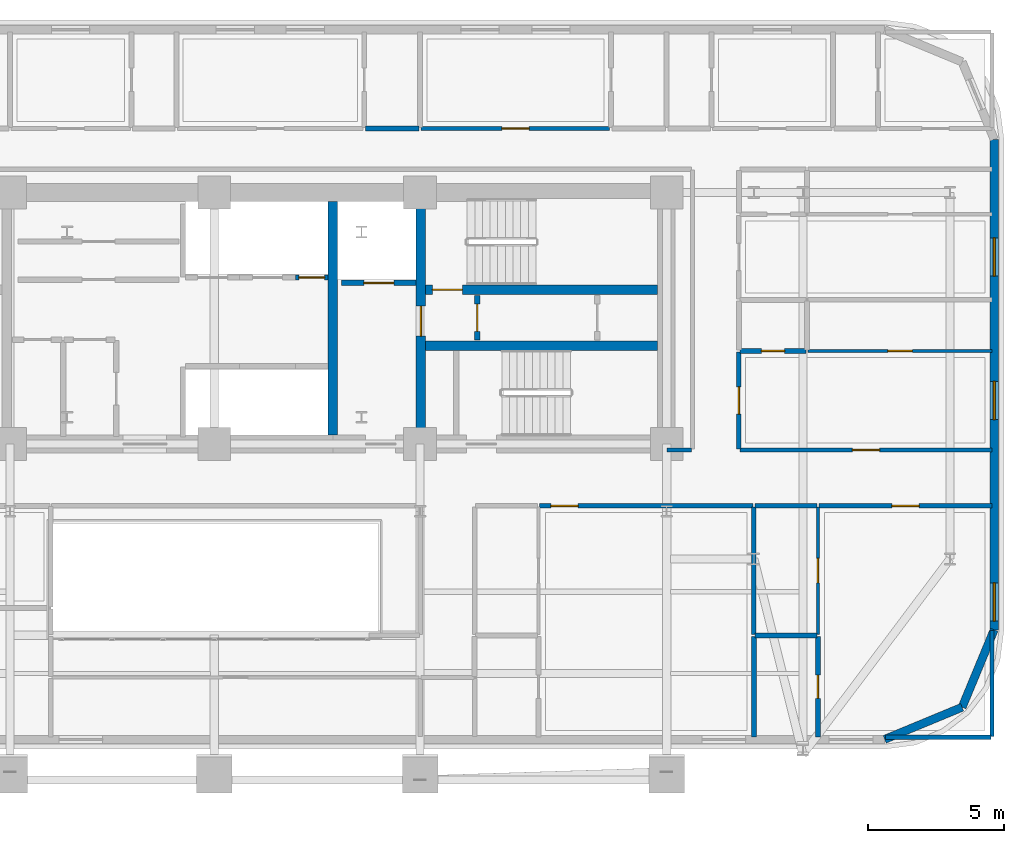
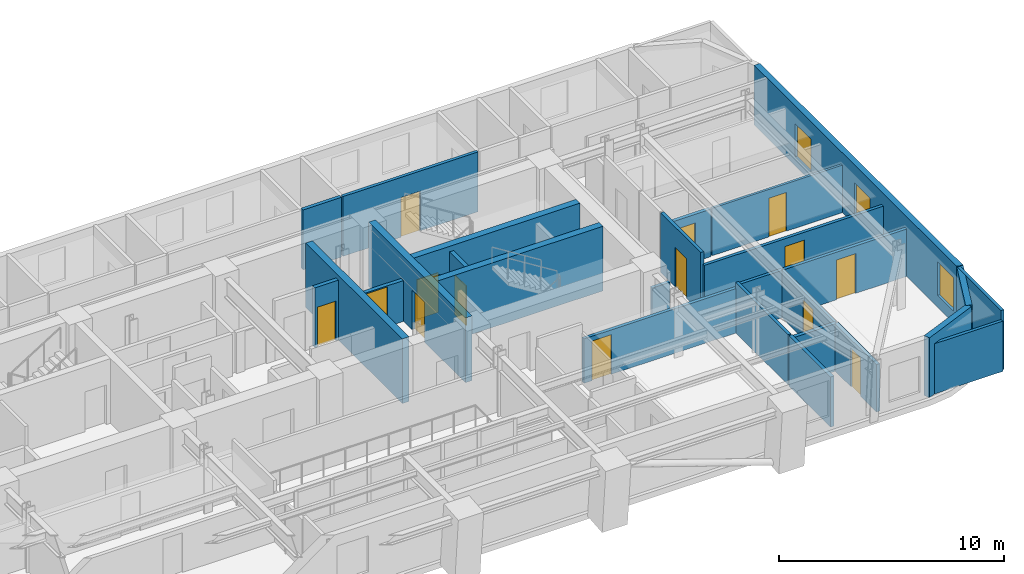
# One storey, part 10 of 15: 27 walls, 14 doors, 3 windows, 17 openings.
"""IFC4 building model written with IfcOpenShell, lengths in metres."""

from ifc_helpers import new_model, si_unit, direction, frame, frame_2d, origin, place, context, subcontext, project, spatial, rectangle, extrude, material, layer, layer_set, type_object, element, fill, save


model = new_model("IFC4")

# Units and contexts
model_context = context("Model", 3, precision=1e-05, world=origin(), true_north=direction((0.0, 1.0)))
body_context = subcontext(model_context, "Body", "Model", "MODEL_VIEW")
ifc_project = project(units=[si_unit("LENGTHUNIT", "METRE"), si_unit("AREAUNIT", "SQUARE_METRE"), si_unit("VOLUMEUNIT", "CUBIC_METRE"), si_unit("PLANEANGLEUNIT", "RADIAN"), si_unit("MASSUNIT", "GRAM", prefix="KILO")], contexts=[model_context])

# Site, building, storey
site_placement = place(None, origin())
site = spatial("IfcSite", under=ifc_project, at=site_placement, CompositionType="ELEMENT")
building_placement = place(site_placement, origin())
building = spatial("IfcBuilding", under=site, at=building_placement, Name="Zarnavel Station Tower", CompositionType="ELEMENT")
storey_placement = place(building_placement, frame((0.0, 0.0, 115.300048828125)))
storey = spatial("IfcBuildingStorey", under=building, at=storey_placement, Name="L31", CompositionType="ELEMENT", Elevation=115.300048828125)

# Wall
ifc_material_1 = material(Name="Concrete C50/60", Category="concrete")
ifc_layer_1 = layer(ifc_material_1, 0.35009765625)
ifc_layer_set_1 = layer_set([ifc_layer_1], Name="CW_350")
wall_type_1 = type_object("IfcWallType", Name="CW_350", PredefinedType="SHEAR", material=ifc_layer_set_1)
wall_1_placement = place(storey_placement, frame((33.14990234375, 28.14501953125, 0.0), z_axis=(0.0, 0.0, 1.0), x_axis=(0.0, 1.0, 0.0)))
element("IfcWall", 1, at=wall_1_placement, inside=storey, type_object=wall_type_1, Name="L31 Rear Core Shear Wall DIV-E", PredefinedType="SHEAR", context=body_context, shape_type="SweptSolid", body=[
    extrude(rectangle(XDim=8.580078125, YDim=0.35009765625, at=frame_2d((4.2900390625, 0.0))), origin(), (0.0, 0.0, 1.0), 3.5),
])

# Wall, opening, door
wall_2_placement = place(storey_placement, frame((36.3798828125, 28.14501953125, 0.0), z_axis=(0.0, 0.0, 1.0), x_axis=(0.0, 1.0, 0.0)))
wall_2 = element("IfcWall", 2, at=wall_2_placement, inside=storey, type_object=wall_type_1, Name="L31 Rear Core Shear Wall DIV-S2", PredefinedType="SHEAR", context=body_context, shape_type="SweptSolid", body=[
    extrude(rectangle(XDim=8.580078125, YDim=0.35009765625, at=frame_2d((4.2900390625, 0.0))), origin(), (0.0, 0.0, 1.0), 3.5),
])
opening_1_placement = place(wall_2_placement, frame((3.635009765625, 0.0, 0.0)))
opening_1 = element("IfcOpeningElement", 3, at=opening_1_placement, cuts=wall_2, Name="Opening FD01", PredefinedType="OPENING", context=body_context, shape_type="SweptSolid", body=[
    extrude(rectangle(XDim=1.10009765625, YDim=2.14990234375, at=frame_2d((0.550048828125, 1.074951171875))), frame((0.0, 0.18505859375, 0.0), z_axis=(0.0, -1.0, 0.0), x_axis=(1.0, 0.0, 0.0)), (0.0, 0.0, 1.0), 0.3701171875),
])
ifc_material_2 = material(Name="Painted Galvanised Steel and Hardwood Leaf", Category="steel")
door_type_1 = type_object("IfcDoorType", Name="ID_STAIR_1100", OperationType="NOTDEFINED", PredefinedType="DOOR", material=ifc_material_2)
door_1_placement = place(opening_1_placement, origin())
door_1 = element("IfcDoor", 4, at=door_1_placement, inside=storey, type_object=door_type_1, Name="L31 East Stair Vestibule Fire Door", OperationType="SINGLE_SWING_LEFT", OverallHeight=2.14990234375, OverallWidth=1.10009765625, PredefinedType="DOOR", context=body_context, shape_type="SweptSolid", body=[
    extrude(rectangle(XDim=1.10009765625, YDim=2.14990234375, at=frame_2d((0.550048828125, 1.074951171875))), frame((0.0, 0.02490234375, 0.0), z_axis=(0.0, -1.0, 0.0), x_axis=(1.0, 0.0, 0.0)), (0.0, 0.0, 1.0), 0.050048828125),
])
fill(opening_1, door_1)

wall_3_placement = place(storey_placement, frame((45.054931640625, 33.47998046875, 0.0), z_axis=(0.0, 0.0, 1.0), x_axis=(-1.0, 0.0, 0.0)))
wall_3 = element("IfcWall", 5, at=wall_3_placement, inside=storey, type_object=wall_type_1, Name="L31 Rear Core Shear Wall DIV-H2", PredefinedType="SHEAR", context=body_context, shape_type="SweptSolid", body=[
    extrude(rectangle(XDim=8.5, YDim=0.35009765625, at=frame_2d((4.25, 0.0))), origin(), (0.0, 0.0, 1.0), 3.5),
])
opening_2_placement = place(wall_3_placement, frame((7.155029296875, 0.0, 0.0)))
opening_2 = element("IfcOpeningElement", 6, at=opening_2_placement, cuts=wall_3, Name="Opening FD01", PredefinedType="OPENING", context=body_context, shape_type="SweptSolid", body=[
    extrude(rectangle(XDim=1.10009765625, YDim=2.14990234375, at=frame_2d((0.550048828125, 1.074951171875))), frame((0.0, 0.18505859375, 0.0), z_axis=(0.0, -1.0, 0.0), x_axis=(1.0, 0.0, 0.0)), (0.0, 0.0, 1.0), 0.3701171875),
])
door_2_placement = place(opening_2_placement, origin())
door_2 = element("IfcDoor", 7, at=door_2_placement, inside=storey, type_object=door_type_1, Name="L31 Stair ST2 Lobby Fire Door", OperationType="SINGLE_SWING_RIGHT", OverallHeight=2.14990234375, OverallWidth=1.10009765625, PredefinedType="DOOR", context=body_context, shape_type="SweptSolid", body=[
    extrude(rectangle(XDim=1.10009765625, YDim=2.14990234375, at=frame_2d((0.550048828125, 1.074951171875))), frame((0.0, 0.02490234375, 0.0), z_axis=(0.0, -1.0, 0.0), x_axis=(1.0, 0.0, 0.0)), (0.0, 0.0, 1.0), 0.050048828125),
])
fill(opening_2, door_2)

# Walls
wall_4_placement = place(storey_placement, frame((36.554931640625, 31.419921875, 0.0), z_axis=(0.0, 0.0, 1.0), x_axis=(1.0, 0.0, 0.0)))
element("IfcWall", 8, at=wall_4_placement, inside=storey, type_object=wall_type_1, Name="L31 Rear Core Shear Wall DIV-H3", PredefinedType="SHEAR", context=body_context, shape_type="SweptSolid", body=[
    extrude(rectangle(XDim=8.5, YDim=0.35009765625, at=frame_2d((4.25, 0.0))), origin(), (0.0, 0.0, 1.0), 3.5),
])
ifc_material_3 = material(Name="Precast concrete C45/55 (Dark Basalt Finish)", Category="masonry")
ifc_layer_2 = layer(ifc_material_3, 0.300048828125)
ifc_layer_set_2 = layer_set([ifc_layer_2], Name="EW_BASALT_300")
wall_type_2 = type_object("IfcWallType", Name="EW_BASALT_300", PredefinedType="SOLIDWALL", material=ifc_layer_set_2)
wall_5_placement = place(storey_placement, frame((56.24267578125, 18.157470703125, 0.0), z_axis=(0.0, 0.0, 1.0), x_axis=(-0.923882414032, -0.382676475685, 0.0)))
element("IfcWall", 9, at=wall_5_placement, inside=storey, type_object=wall_type_2, Name="L31 Exterior Basalt Masonry Frame Wall 01", PredefinedType="SOLIDWALL", context=body_context, shape_type="SweptSolid", body=[
    extrude(rectangle(XDim=3.076904296875, YDim=0.300048828125, at=frame_2d((1.53857421875, 0.0))), origin(), (0.0, 0.0, 1.0), 3.239990234375),
])
wall_6_placement = place(storey_placement, frame((57.419921875, 21.0, 0.0), z_axis=(0.0, 0.0, 1.0), x_axis=(-0.382636798336, -0.92389884758, 0.0)))
element("IfcWall", 10, at=wall_6_placement, inside=storey, type_object=wall_type_2, Name="L31 Exterior Basalt Masonry Frame Wall 02", PredefinedType="SOLIDWALL", context=body_context, shape_type="SweptSolid", body=[
    extrude(rectangle(XDim=3.07666015625, YDim=0.300048828125, at=frame_2d((1.538330078125, 0.0))), origin(), (0.0, 0.0, 1.0), 3.239990234375),
])

# Wall, openings, windows
wall_7_placement = place(storey_placement, frame((57.419921875, 39.0, 0.0), z_axis=(0.0, 0.0, 1.0), x_axis=(0.0, -1.0, 0.0)))
wall_7 = element("IfcWall", 11, at=wall_7_placement, inside=storey, type_object=wall_type_2, Name="L31 Exterior Basalt Masonry Frame Wall 03", PredefinedType="SOLIDWALL", context=body_context, shape_type="SweptSolid", body=[
    extrude(rectangle(XDim=18.0, YDim=0.300048828125, at=frame_2d((9.0, 0.0))), origin(), (0.0, 0.0, 1.0), 3.239990234375),
])
opening_3_placement = place(wall_7_placement, frame((8.882080078125, 0.0, 0.47998046875)))
opening_3 = element("IfcOpeningElement", 12, at=opening_3_placement, cuts=wall_7, Name="Opening WN01", PredefinedType="OPENING", context=body_context, shape_type="SweptSolid", body=[
    extrude(rectangle(XDim=1.39990234375, YDim=1.800048828125, at=frame_2d((0.699951171875, 0.89990234375))), frame((0.0, 0.159912109375, 0.0), z_axis=(0.0, -1.0, 0.0), x_axis=(1.0, 0.0, 0.0)), (0.0, 0.0, 1.0), 0.320068359375),
])
opening_4_placement = place(wall_7_placement, frame((3.62060546875, 0.0, 0.47998046875)))
opening_4 = element("IfcOpeningElement", 13, at=opening_4_placement, cuts=wall_7, Name="Opening WN01", PredefinedType="OPENING", context=body_context, shape_type="SweptSolid", body=[
    extrude(rectangle(XDim=1.39990234375, YDim=1.800048828125, at=frame_2d((0.699951171875, 0.89990234375))), frame((0.0, 0.159912109375, 0.0), z_axis=(0.0, -1.0, 0.0), x_axis=(1.0, 0.0, 0.0)), (0.0, 0.0, 1.0), 0.320068359375),
])
opening_5_placement = place(wall_7_placement, frame((16.280029296875, 0.0, 0.64990234375)))
opening_5 = element("IfcOpeningElement", 14, at=opening_5_placement, cuts=wall_7, Name="Opening WN01", PredefinedType="OPENING", context=body_context, shape_type="SweptSolid", body=[
    extrude(rectangle(XDim=1.39990234375, YDim=1.800048828125, at=frame_2d((0.699951171875, 0.89990234375))), frame((0.0, 0.159912109375, 0.0), z_axis=(0.0, -1.0, 0.0), x_axis=(1.0, 0.0, 0.0)), (0.0, 0.0, 1.0), 0.320068359375),
])
ifc_material_4 = material(Name="Thermally Broken Black Aluminium and Low-E Dark Glass", Category="aluminium")
window_type = type_object("IfcWindowType", Name="WN_1400x1800", PartitioningType="DOUBLE_PANEL_VERTICAL", PredefinedType="WINDOW", material=ifc_material_4)
window_1_placement = place(opening_3_placement, origin())
window_1 = element("IfcWindow", 15, at=window_1_placement, inside=storey, type_object=window_type, Name="L31 Recessed Facade Window 01", OverallHeight=1.800048828125, OverallWidth=1.39990234375, PartitioningType="SINGLE_PANEL", PredefinedType="WINDOW", context=body_context, shape_type="SweptSolid", body=[
    extrude(rectangle(XDim=1.39990234375, YDim=1.800048828125, at=frame_2d((0.699951171875, 0.89990234375))), frame((0.0, 0.030029296875, 0.0), z_axis=(0.0, -1.0, 0.0), x_axis=(1.0, 0.0, 0.0)), (0.0, 0.0, 1.0), 0.06005859375),
])
fill(opening_3, window_1)
window_2_placement = place(opening_4_placement, origin())
window_2 = element("IfcWindow", 16, at=window_2_placement, inside=storey, type_object=window_type, Name="L31 Recessed Facade Window 02", OverallHeight=1.800048828125, OverallWidth=1.39990234375, PartitioningType="SINGLE_PANEL", PredefinedType="WINDOW", context=body_context, shape_type="SweptSolid", body=[
    extrude(rectangle(XDim=1.39990234375, YDim=1.800048828125, at=frame_2d((0.699951171875, 0.89990234375))), frame((0.0, 0.030029296875, 0.0), z_axis=(0.0, -1.0, 0.0), x_axis=(1.0, 0.0, 0.0)), (0.0, 0.0, 1.0), 0.06005859375),
])
fill(opening_4, window_2)
window_3_placement = place(opening_5_placement, origin())
window_3 = element("IfcWindow", 17, at=window_3_placement, inside=storey, type_object=window_type, Name="L31 Recessed Facade Window 03", OverallHeight=1.800048828125, OverallWidth=1.39990234375, PartitioningType="SINGLE_PANEL", PredefinedType="WINDOW", context=body_context, shape_type="SweptSolid", body=[
    extrude(rectangle(XDim=1.39990234375, YDim=1.800048828125, at=frame_2d((0.699951171875, 0.89990234375))), frame((0.0, 0.030029296875, 0.0), z_axis=(0.0, -1.0, 0.0), x_axis=(1.0, 0.0, 0.0)), (0.0, 0.0, 1.0), 0.06005859375),
])
fill(opening_5, window_3)

# Wall, opening, door
ifc_material_5 = material(Name="Gypsum Twin-Stud Acoustic Fire Partition", Category="concrete")
ifc_layer_3 = layer(ifc_material_5, 0.159912109375)
ifc_layer_set_3 = layer_set([ifc_layer_3], Name="PT_DEMISE_160")
wall_type_3 = type_object("IfcWallType", Name="PT_DEMISE_160", PredefinedType="PARTITIONING", material=ifc_layer_set_3)
wall_8_placement = place(storey_placement, frame((48.090087890625, 27.60009765625, 0.0), z_axis=(0.0, 0.0, 1.0), x_axis=(1.0, 0.0, 0.0)))
wall_8 = element("IfcWall", 18, at=wall_8_placement, inside=storey, type_object=wall_type_3, Name="L31 Partition COR-S-FNE1R", PredefinedType="PARTITIONING", context=body_context, shape_type="SweptSolid", body=[
    extrude(rectangle(XDim=9.25, YDim=0.159912109375, at=frame_2d((4.625, 0.0))), origin(), (0.0, 0.0, 1.0), 2.570068359375),
])
opening_6_placement = place(wall_8_placement, frame((4.125, 0.0, 0.0)))
opening_6 = element("IfcOpeningElement", 19, at=opening_6_placement, cuts=wall_8, Name="Opening FD02", PredefinedType="OPENING", context=body_context, shape_type="SweptSolid", body=[
    extrude(rectangle(XDim=1.0, YDim=2.14990234375, at=frame_2d((0.5, 1.074951171875))), frame((0.0, 0.08984375, 0.0), z_axis=(0.0, -1.0, 0.0), x_axis=(1.0, 0.0, 0.0)), (0.0, 0.0, 1.0), 0.179931640625),
])
ifc_material_6 = material(Name="Painted Galvanised Steel and Hardwood Leaf", Category="steel")
door_type_2 = type_object("IfcDoorType", Name="ID_ENTRY_1000", OperationType="NOTDEFINED", PredefinedType="DOOR", material=ifc_material_6)
door_3_placement = place(opening_6_placement, origin())
door_3 = element("IfcDoor", 20, at=door_3_placement, inside=storey, type_object=door_type_2, Name="L31 Door COR-S-FNE1R", OperationType="SINGLE_SWING_LEFT", OverallHeight=2.14990234375, OverallWidth=1.0, PredefinedType="DOOR", context=body_context, shape_type="SweptSolid", body=[
    extrude(rectangle(XDim=1.0, YDim=2.14990234375, at=frame_2d((0.5, 1.074951171875))), frame((0.0, 0.02490234375, 0.0), z_axis=(0.0, -1.0, 0.0), x_axis=(1.0, 0.0, 0.0)), (0.0, 0.0, 1.0), 0.050048828125),
])
fill(opening_6, door_3)

wall_9_placement = place(storey_placement, frame((40.739990234375, 25.550048828125, 0.0), z_axis=(0.0, 0.0, 1.0), x_axis=(1.0, 0.0, 0.0)))
wall_9 = element("IfcWall", 21, at=wall_9_placement, inside=storey, type_object=wall_type_3, Name="L31 Partition COR-S-HE1R", PredefinedType="PARTITIONING", context=body_context, shape_type="SweptSolid", body=[
    extrude(rectangle(XDim=7.820068359375, YDim=0.159912109375, at=frame_2d((3.91015625, 0.0))), origin(), (0.0, 0.0, 1.0), 2.406005859375),
])
opening_7_placement = place(wall_9_placement, frame((0.41259765625, 0.0, 0.0)))
opening_7 = element("IfcOpeningElement", 22, at=opening_7_placement, cuts=wall_9, Name="Opening FD02", PredefinedType="OPENING", context=body_context, shape_type="SweptSolid", body=[
    extrude(rectangle(XDim=1.0, YDim=2.14990234375, at=frame_2d((0.5, 1.074951171875))), frame((0.0, 0.08984375, 0.0), z_axis=(0.0, -1.0, 0.0), x_axis=(1.0, 0.0, 0.0)), (0.0, 0.0, 1.0), 0.179931640625),
])
door_4_placement = place(opening_7_placement, origin())
door_4 = element("IfcDoor", 23, at=door_4_placement, inside=storey, type_object=door_type_2, Name="L31 Door COR-S-HE1R", OperationType="SINGLE_SWING_RIGHT", OverallHeight=2.14990234375, OverallWidth=1.0, PredefinedType="DOOR", context=body_context, shape_type="SweptSolid", body=[
    extrude(rectangle(XDim=1.0, YDim=2.14990234375, at=frame_2d((0.5, 1.074951171875))), frame((0.0, 0.02490234375, 0.0), z_axis=(0.0, -1.0, 0.0), x_axis=(1.0, 0.0, 0.0)), (0.0, 0.0, 1.0), 0.050048828125),
])
fill(opening_7, door_4)

wall_10_placement = place(storey_placement, frame((50.989990234375, 25.550048828125, 0.0), z_axis=(0.0, 0.0, 1.0), x_axis=(1.0, 0.0, 0.0)))
wall_10 = element("IfcWall", 24, at=wall_10_placement, inside=storey, type_object=wall_type_3, Name="L31 Partition COR-S-HE2R", PredefinedType="PARTITIONING", context=body_context, shape_type="SweptSolid", body=[
    extrude(rectangle(XDim=6.35009765625, YDim=0.159912109375, at=frame_2d((3.175048828125, 0.0))), origin(), (0.0, 0.0, 1.0), 2.570068359375),
])
opening_8_placement = place(wall_10_placement, frame((2.675048828125, 0.0, 0.0)))
opening_8 = element("IfcOpeningElement", 25, at=opening_8_placement, cuts=wall_10, Name="Opening FD02", PredefinedType="OPENING", context=body_context, shape_type="SweptSolid", body=[
    extrude(rectangle(XDim=1.0, YDim=2.14990234375, at=frame_2d((0.5, 1.074951171875))), frame((0.0, 0.08984375, 0.0), z_axis=(0.0, -1.0, 0.0), x_axis=(1.0, 0.0, 0.0)), (0.0, 0.0, 1.0), 0.179931640625),
])
door_5_placement = place(opening_8_placement, origin())
door_5 = element("IfcDoor", 26, at=door_5_placement, inside=storey, type_object=door_type_2, Name="L31 Door COR-S-HE2R", OperationType="SINGLE_SWING_LEFT", OverallHeight=2.14990234375, OverallWidth=1.0, PredefinedType="DOOR", context=body_context, shape_type="SweptSolid", body=[
    extrude(rectangle(XDim=1.0, YDim=2.14990234375, at=frame_2d((0.5, 1.074951171875))), frame((0.0, 0.02490234375, 0.0), z_axis=(0.0, -1.0, 0.0), x_axis=(1.0, 0.0, 0.0)), (0.0, 0.0, 1.0), 0.050048828125),
])
fill(opening_8, door_5)

# Wall
wall_11_placement = place(storey_placement, frame((48.639892578125, 25.550048828125, 0.0), z_axis=(0.0, 0.0, 1.0), x_axis=(1.0, 0.0, 0.0)))
element("IfcWall", 27, at=wall_11_placement, inside=storey, type_object=wall_type_3, Name="L31 Partition COR-S-HE2S", PredefinedType="PARTITIONING", context=body_context, shape_type="SweptSolid", body=[
    extrude(rectangle(XDim=2.27001953125, YDim=0.159912109375, at=frame_2d((1.135009765625, 0.0))), origin(), (0.0, 0.0, 1.0), 2.570068359375),
])

# Wall, opening, door
wall_12_placement = place(storey_placement, frame((48.050048828125, 27.639892578125, 0.0), z_axis=(0.0, 0.0, 1.0), x_axis=(0.0, 1.0, 0.0)))
wall_12 = element("IfcWall", 28, at=wall_12_placement, inside=storey, type_object=wall_type_3, Name="L31 Partition COR-E-FNE1R", PredefinedType="PARTITIONING", context=body_context, shape_type="SweptSolid", body=[
    extrude(rectangle(XDim=3.55615234375, YDim=0.159912109375, at=frame_2d((1.778076171875, 0.0))), origin(), (0.0, 0.0, 1.0), 3.239990234375),
])
opening_9_placement = place(wall_12_placement, frame((1.278076171875, 0.0, 0.0)))
opening_9 = element("IfcOpeningElement", 29, at=opening_9_placement, cuts=wall_12, Name="Opening FD02", PredefinedType="OPENING", context=body_context, shape_type="SweptSolid", body=[
    extrude(rectangle(XDim=1.0, YDim=2.14990234375, at=frame_2d((0.5, 1.074951171875))), frame((0.0, 0.08984375, 0.0), z_axis=(0.0, -1.0, 0.0), x_axis=(1.0, 0.0, 0.0)), (0.0, 0.0, 1.0), 0.179931640625),
])
door_6_placement = place(opening_9_placement, origin())
door_6 = element("IfcDoor", 30, at=door_6_placement, inside=storey, type_object=door_type_2, Name="L31 Door COR-E-FNE1R", OperationType="SINGLE_SWING_RIGHT", OverallHeight=2.14990234375, OverallWidth=1.0, PredefinedType="DOOR", context=body_context, shape_type="SweptSolid", body=[
    extrude(rectangle(XDim=1.0, YDim=2.14990234375, at=frame_2d((0.5, 1.074951171875))), frame((0.0, 0.02490234375, 0.0), z_axis=(0.0, -1.0, 0.0), x_axis=(1.0, 0.0, 0.0)), (0.0, 0.0, 1.0), 0.050048828125),
])
fill(opening_9, door_6)

wall_13_placement = place(storey_placement, frame((36.389892578125, 39.39990234375, 0.0), z_axis=(0.0, 0.0, 1.0), x_axis=(1.0, 0.0, 0.0)))
wall_13 = element("IfcWall", 31, at=wall_13_placement, inside=storey, type_object=wall_type_3, Name="L31 Partition COR-N-HN4R", PredefinedType="PARTITIONING", context=body_context, shape_type="SweptSolid", body=[
    extrude(rectangle(XDim=6.920166015625, YDim=0.159912109375, at=frame_2d((3.4599609375, 0.0))), origin(), (0.0, 0.0, 1.0), 3.239990234375),
])
opening_10_placement = place(wall_13_placement, frame((2.9599609375, 0.0, 0.0)))
opening_10 = element("IfcOpeningElement", 32, at=opening_10_placement, cuts=wall_13, Name="Opening FD02", PredefinedType="OPENING", context=body_context, shape_type="SweptSolid", body=[
    extrude(rectangle(XDim=1.0, YDim=2.14990234375, at=frame_2d((0.5, 1.074951171875))), frame((0.0, 0.08984375, 0.0), z_axis=(0.0, -1.0, 0.0), x_axis=(1.0, 0.0, 0.0)), (0.0, 0.0, 1.0), 0.179931640625),
])
door_7_placement = place(opening_10_placement, origin())
door_7 = element("IfcDoor", 33, at=door_7_placement, inside=storey, type_object=door_type_2, Name="L31 Door COR-N-HN4R", OperationType="SINGLE_SWING_RIGHT", OverallHeight=2.14990234375, OverallWidth=1.0, PredefinedType="DOOR", context=body_context, shape_type="SweptSolid", body=[
    extrude(rectangle(XDim=1.0, YDim=2.14990234375, at=frame_2d((0.5, 1.074951171875))), frame((0.0, 0.02490234375, 0.0), z_axis=(0.0, -1.0, 0.0), x_axis=(1.0, 0.0, 0.0)), (0.0, 0.0, 1.0), 0.050048828125),
])
fill(opening_10, door_7)

# Walls
wall_14_placement = place(storey_placement, frame((48.60009765625, 20.8359375, 0.0), z_axis=(0.0, 0.0, 1.0), x_axis=(0.0, 1.0, 0.0)))
element("IfcWall", 34, at=wall_14_placement, inside=storey, type_object=wall_type_3, Name="L31 Partition HE1R-HE2S", PredefinedType="PARTITIONING", context=body_context, shape_type="SweptSolid", body=[
    extrude(rectangle(XDim=4.674072265625, YDim=0.159912109375, at=frame_2d((2.3369140625, 0.0))), origin(), (0.0, 0.0, 1.0), 2.719970703125),
])
wall_15_placement = place(storey_placement, frame((45.409912109375, 27.60009765625, 0.0), z_axis=(0.0, 0.0, 1.0), x_axis=(1.0, 0.0, 0.0)))
element("IfcWall", 35, at=wall_15_placement, inside=storey, type_object=wall_type_3, Name="L31 Enclosure Wall COR-S", PredefinedType="PARTITIONING", context=body_context, shape_type="SweptSolid", body=[
    extrude(rectangle(XDim=0.91015625, YDim=0.159912109375, at=frame_2d((0.455078125, 0.0))), origin(), (0.0, 0.0, 1.0), 2.280029296875),
])
wall_16_placement = place(storey_placement, frame((53.429931640625, 17.06005859375, 0.0), z_axis=(0.0, 0.0, 1.0), x_axis=(1.0, 0.0, 0.0)))
element("IfcWall", 36, at=wall_16_placement, inside=storey, type_object=wall_type_3, Name="L31 Enclosure Wall HE2R", PredefinedType="PARTITIONING", context=body_context, shape_type="SweptSolid", body=[
    extrude(rectangle(XDim=3.880126953125, YDim=0.159912109375, at=frame_2d((1.93994140625, 0.0))), origin(), (0.0, 0.0, 1.0), 2.719970703125),
])
wall_17_placement = place(storey_placement, frame((57.340087890625, 17.090087890625, 0.0), z_axis=(0.0, 0.0, 1.0), x_axis=(0.0, 1.0, 0.0)))
element("IfcWall", 37, at=wall_17_placement, inside=storey, type_object=wall_type_3, Name="L31 Enclosure Wall HE2R", PredefinedType="PARTITIONING", context=body_context, shape_type="SweptSolid", body=[
    extrude(rectangle(XDim=3.8798828125, YDim=0.159912109375, at=frame_2d((1.93994140625, 0.0))), origin(), (0.0, 0.0, 1.0), 3.239990234375),
])

# Wall, opening, door
ifc_material_7 = material(Name="Gypsum Metal-Stud Interior Partition", Category="concrete")
ifc_layer_4 = layer(ifc_material_7, 0.1201171875)
ifc_layer_set_4 = layer_set([ifc_layer_4], Name="PT_ROOM_120")
wall_type_4 = type_object("IfcWallType", Name="PT_ROOM_120", PredefinedType="PARTITIONING", material=ifc_layer_set_4)
wall_18_placement = place(storey_placement, frame((50.590087890625, 31.236083984375, 0.0), z_axis=(0.0, 0.0, 1.0), x_axis=(1.0, 0.0, 0.0)))
wall_18 = element("IfcWall", 38, at=wall_18_placement, inside=storey, type_object=wall_type_4, Name="L31 Partition FNE1R-FNE1S", PredefinedType="PARTITIONING", context=body_context, shape_type="SweptSolid", body=[
    extrude(rectangle(XDim=6.75, YDim=0.1201171875, at=frame_2d((3.375, 0.0))), origin(), (0.0, 0.0, 1.0), 2.570068359375),
])
opening_11_placement = place(wall_18_placement, frame((2.925048828125, 0.0, 0.0)))
opening_11 = element("IfcOpeningElement", 39, at=opening_11_placement, cuts=wall_18, Name="Opening ID01", PredefinedType="OPENING", context=body_context, shape_type="SweptSolid", body=[
    extrude(rectangle(XDim=0.89990234375, YDim=2.10009765625, at=frame_2d((0.449951171875, 1.050048828125))), frame((0.0, 0.070068359375, 0.0), z_axis=(0.0, -1.0, 0.0), x_axis=(1.0, 0.0, 0.0)), (0.0, 0.0, 1.0), 0.14013671875),
])
ifc_material_8 = material(Name="Painted Galvanised Steel and Hardwood Leaf", Category="steel")
door_type_3 = type_object("IfcDoorType", Name="ID_ROOM_900", OperationType="NOTDEFINED", PredefinedType="DOOR", material=ifc_material_8)
door_8_placement = place(opening_11_placement, origin())
door_8 = element("IfcDoor", 40, at=door_8_placement, inside=storey, type_object=door_type_3, Name="L31 Door FNE1R-FNE1S", OperationType="SINGLE_SWING_LEFT", OverallHeight=2.10009765625, OverallWidth=0.89990234375, PredefinedType="DOOR", context=body_context, shape_type="SweptSolid", body=[
    extrude(rectangle(XDim=0.89990234375, YDim=2.10009765625, at=frame_2d((0.449951171875, 1.050048828125))), frame((0.0, 0.02490234375, 0.0), z_axis=(0.0, -1.0, 0.0), x_axis=(1.0, 0.0, 0.0)), (0.0, 0.0, 1.0), 0.050048828125),
])
fill(opening_11, door_8)

wall_19_placement = place(storey_placement, frame((50.949951171875, 20.8359375, 0.0), z_axis=(0.0, 0.0, 1.0), x_axis=(0.0, 1.0, 0.0)))
wall_19 = element("IfcWall", 41, at=wall_19_placement, inside=storey, type_object=wall_type_4, Name="L31 Partition HE2R-HE2S", PredefinedType="PARTITIONING", context=body_context, shape_type="SweptSolid", body=[
    extrude(rectangle(XDim=4.674072265625, YDim=0.1201171875, at=frame_2d((2.3369140625, 0.0))), origin(), (0.0, 0.0, 1.0), 2.570068359375),
])
opening_12_placement = place(wall_19_placement, frame((1.886962890625, 0.0, 0.0)))
opening_12 = element("IfcOpeningElement", 42, at=opening_12_placement, cuts=wall_19, Name="Opening ID01", PredefinedType="OPENING", context=body_context, shape_type="SweptSolid", body=[
    extrude(rectangle(XDim=0.89990234375, YDim=2.10009765625, at=frame_2d((0.449951171875, 1.050048828125))), frame((0.0, 0.070068359375, 0.0), z_axis=(0.0, -1.0, 0.0), x_axis=(1.0, 0.0, 0.0)), (0.0, 0.0, 1.0), 0.14013671875),
])
door_9_placement = place(opening_12_placement, origin())
door_9 = element("IfcDoor", 43, at=door_9_placement, inside=storey, type_object=door_type_3, Name="L31 Door HE2R-HE2S", OperationType="SINGLE_SWING_RIGHT", OverallHeight=2.10009765625, OverallWidth=0.89990234375, PredefinedType="DOOR", context=body_context, shape_type="SweptSolid", body=[
    extrude(rectangle(XDim=0.89990234375, YDim=2.10009765625, at=frame_2d((0.449951171875, 1.050048828125))), frame((0.0, 0.02490234375, 0.0), z_axis=(0.0, -1.0, 0.0), x_axis=(1.0, 0.0, 0.0)), (0.0, 0.0, 1.0), 0.050048828125),
])
fill(opening_12, door_9)

ifc_material_9 = material(Name="Precast concrete C45/55 (Fire Shaft Blockwork)", Category="masonry")
ifc_layer_5 = layer(ifc_material_9, 0.199951171875)
ifc_layer_set_5 = layer_set([ifc_layer_5], Name="PT_SHAFT_200")
wall_type_5 = type_object("IfcWallType", Name="PT_SHAFT_200", PredefinedType="PARTITIONING", material=ifc_layer_set_5)
wall_20_placement = place(storey_placement, frame((33.47509765625, 33.72998046875, 0.0), z_axis=(0.0, 0.0, 1.0), x_axis=(1.0, 0.0, 0.0)))
wall_20 = element("IfcWall", 44, at=wall_20_placement, inside=storey, type_object=wall_type_5, Name="L31 Lift FFL-02 Shaft Front Wall", PredefinedType="PARTITIONING", context=body_context, shape_type="SweptSolid", body=[
    extrude(rectangle(XDim=2.724853515625, YDim=0.199951171875, at=frame_2d((1.3623046875, 0.0))), origin(), (0.0, 0.0, 1.0), 2.2119140625),
])
opening_13_placement = place(wall_20_placement, frame((0.8125, 0.0, 0.0)))
opening_13 = element("IfcOpeningElement", 45, at=opening_13_placement, cuts=wall_20, Name="Opening LD01", PredefinedType="OPENING", context=body_context, shape_type="SweptSolid", body=[
    extrude(rectangle(XDim=1.10009765625, YDim=2.14990234375, at=frame_2d((0.550048828125, 1.074951171875))), frame((0.0, 0.10986328125, 0.0), z_axis=(0.0, -1.0, 0.0), x_axis=(1.0, 0.0, 0.0)), (0.0, 0.0, 1.0), 0.219970703125),
])
ifc_material_10 = material(Name="Painted Galvanised Steel and Hardwood Leaf", Category="steel")
door_type_4 = type_object("IfcDoorType", Name="LD_FF_1100", OperationType="DOUBLE_DOOR_SLIDING", PredefinedType="DOOR", material=ifc_material_10)
door_10_placement = place(opening_13_placement, origin())
door_10 = element("IfcDoor", 46, at=door_10_placement, inside=storey, type_object=door_type_4, Name="L31 Lift FFL-02 Sliding Landing Door", OperationType="DOUBLE_DOOR_SLIDING", OverallHeight=2.14990234375, OverallWidth=1.10009765625, PredefinedType="DOOR", context=body_context, shape_type="SweptSolid", body=[
    extrude(rectangle(XDim=1.10009765625, YDim=2.14990234375, at=frame_2d((0.550048828125, 1.074951171875))), frame((0.0, 0.02490234375, 0.0), z_axis=(0.0, -1.0, 0.0), x_axis=(1.0, 0.0, 0.0)), (0.0, 0.0, 1.0), 0.050048828125),
])
fill(opening_13, door_10)

wall_21_placement = place(storey_placement, frame((31.77490234375, 33.929931640625, 0.0), z_axis=(0.0, 0.0, 1.0), x_axis=(1.0, 0.0, 0.0)))
wall_21 = element("IfcWall", 47, at=wall_21_placement, inside=storey, type_object=wall_type_5, Name="L31 Lift PL-M3 Shaft Front Wall", PredefinedType="PARTITIONING", context=body_context, shape_type="SweptSolid", body=[
    extrude(rectangle(XDim=1.2001953125, YDim=0.199951171875, at=frame_2d((0.60009765625, 0.0))), origin(), (0.0, 0.0, 1.0), 3.239990234375),
])
opening_14_placement = place(wall_21_placement, frame((0.125, 0.0, 0.0)))
opening_14 = element("IfcOpeningElement", 48, at=opening_14_placement, cuts=wall_21, Name="Opening LD03", PredefinedType="OPENING", context=body_context, shape_type="SweptSolid", body=[
    extrude(rectangle(XDim=0.949951171875, YDim=2.14990234375, at=frame_2d((0.47509765625, 1.074951171875))), frame((0.0, 0.10986328125, 0.0), z_axis=(0.0, -1.0, 0.0), x_axis=(1.0, 0.0, 0.0)), (0.0, 0.0, 1.0), 0.219970703125),
])
ifc_material_11 = material(Name="Painted Galvanised Steel and Hardwood Leaf", Category="steel")
door_type_5 = type_object("IfcDoorType", Name="LD_PAX_0950", OperationType="DOUBLE_DOOR_SLIDING", PredefinedType="DOOR", material=ifc_material_11)
door_11_placement = place(opening_14_placement, origin())
door_11 = element("IfcDoor", 49, at=door_11_placement, inside=storey, type_object=door_type_5, Name="L31 Lift PL-M3 Sliding Landing Door", OperationType="DOUBLE_DOOR_SLIDING", OverallHeight=2.14990234375, OverallWidth=0.949951171875, PredefinedType="DOOR", context=body_context, shape_type="SweptSolid", body=[
    extrude(rectangle(XDim=0.949951171875, YDim=2.14990234375, at=frame_2d((0.47509765625, 1.074951171875))), frame((0.0, 0.02490234375, 0.0), z_axis=(0.0, -1.0, 0.0), x_axis=(1.0, 0.0, 0.0)), (0.0, 0.0, 1.0), 0.050048828125),
])
fill(opening_14, door_11)

wall_22_placement = place(storey_placement, frame((38.449951171875, 31.639892578125, 0.0), z_axis=(0.0, 0.0, 1.0), x_axis=(0.0, 1.0, 0.0)))
wall_22 = element("IfcWall", 50, at=wall_22_placement, inside=storey, type_object=wall_type_5, Name="L31 Partition ESTV-CEA", PredefinedType="PARTITIONING", context=body_context, shape_type="SweptSolid", body=[
    extrude(rectangle(XDim=1.6201171875, YDim=0.199951171875, at=frame_2d((0.81005859375, 0.0))), origin(), (0.0, 0.0, 1.0), 3.239990234375),
])
opening_15_placement = place(wall_22_placement, frame((0.31005859375, 0.0, 0.0)))
opening_15 = element("IfcOpeningElement", 51, at=opening_15_placement, cuts=wall_22, Name="Opening FD02", PredefinedType="OPENING", context=body_context, shape_type="SweptSolid", body=[
    extrude(rectangle(XDim=1.0, YDim=2.14990234375, at=frame_2d((0.5, 1.074951171875))), frame((0.0, 0.10986328125, 0.0), z_axis=(0.0, -1.0, 0.0), x_axis=(1.0, 0.0, 0.0)), (0.0, 0.0, 1.0), 0.219970703125),
])
door_12_placement = place(opening_15_placement, origin())
door_12 = element("IfcDoor", 52, at=door_12_placement, inside=storey, type_object=door_type_2, Name="L31 Door ESTV-CEA", OperationType="SINGLE_SWING_LEFT", OverallHeight=2.14990234375, OverallWidth=1.0, PredefinedType="DOOR", context=body_context, shape_type="SweptSolid", body=[
    extrude(rectangle(XDim=1.0, YDim=2.14990234375, at=frame_2d((0.5, 1.074951171875))), frame((0.0, 0.02490234375, 0.0), z_axis=(0.0, -1.0, 0.0), x_axis=(1.0, 0.0, 0.0)), (0.0, 0.0, 1.0), 0.050048828125),
])
fill(opening_15, door_12)

# Wall
ifc_material_12 = material(Name="Moisture-Resistant Plumbing Chase Wall", Category="concrete")
ifc_layer_6 = layer(ifc_material_12, 0.179931640625)
ifc_layer_set_6 = layer_set([ifc_layer_6], Name="PW_PLUMB_180")
wall_type_6 = type_object("IfcWallType", Name="PW_PLUMB_180", PredefinedType="PLUMBINGWALL", material=ifc_layer_set_6)
wall_23_placement = place(storey_placement, frame((34.340087890625, 39.39990234375, 0.0), z_axis=(0.0, 0.0, 1.0), x_axis=(1.0, 0.0, 0.0)))
element("IfcWall", 53, at=wall_23_placement, inside=storey, type_object=wall_type_6, Name="L31 Partition COR-N-HN3B", PredefinedType="PLUMBINGWALL", context=body_context, shape_type="SweptSolid", body=[
    extrude(rectangle(XDim=1.969970703125, YDim=0.179931640625, at=frame_2d((0.98486328125, 0.0))), origin(), (0.0, 0.0, 1.0), 3.239990234375),
])

# Wall, opening, door
wall_24_placement = place(storey_placement, frame((48.090087890625, 31.236083984375, 0.0), z_axis=(0.0, 0.0, 1.0), x_axis=(1.0, 0.0, 0.0)))
wall_24 = element("IfcWall", 54, at=wall_24_placement, inside=storey, type_object=wall_type_6, Name="L31 Partition FNE1R-FNE1B", PredefinedType="PLUMBINGWALL", context=body_context, shape_type="SweptSolid", body=[
    extrude(rectangle(XDim=2.419921875, YDim=0.179931640625, at=frame_2d((1.2099609375, 0.0))), origin(), (0.0, 0.0, 1.0), 2.570068359375),
])
opening_16_placement = place(wall_24_placement, frame((0.784912109375, 0.0, 0.0)))
opening_16 = element("IfcOpeningElement", 55, at=opening_16_placement, cuts=wall_24, Name="Opening ID02", PredefinedType="OPENING", context=body_context, shape_type="SweptSolid", body=[
    extrude(rectangle(XDim=0.85009765625, YDim=2.10009765625, at=frame_2d((0.425048828125, 1.050048828125))), frame((0.0, 0.099853515625, 0.0), z_axis=(0.0, -1.0, 0.0), x_axis=(1.0, 0.0, 0.0)), (0.0, 0.0, 1.0), 0.199951171875),
])
ifc_material_13 = material(Name="Painted Galvanised Steel and Hardwood Leaf", Category="steel")
door_type_6 = type_object("IfcDoorType", Name="ID_BATH_850", OperationType="NOTDEFINED", PredefinedType="DOOR", material=ifc_material_13)
door_13_placement = place(opening_16_placement, origin())
door_13 = element("IfcDoor", 56, at=door_13_placement, inside=storey, type_object=door_type_6, Name="L31 Door FNE1R-FNE1B", OperationType="SINGLE_SWING_RIGHT", OverallHeight=2.10009765625, OverallWidth=0.85009765625, PredefinedType="DOOR", context=body_context, shape_type="SweptSolid", body=[
    extrude(rectangle(XDim=0.85009765625, YDim=2.10009765625, at=frame_2d((0.425048828125, 1.050048828125))), frame((0.0, 0.02490234375, 0.0), z_axis=(0.0, -1.0, 0.0), x_axis=(1.0, 0.0, 0.0)), (0.0, 0.0, 1.0), 0.050048828125),
])
fill(opening_16, door_13)

# Wall
wall_25_placement = place(storey_placement, frame((48.60009765625, 17.06005859375, 0.0), z_axis=(0.0, 0.0, 1.0), x_axis=(0.0, 1.0, 0.0)))
element("IfcWall", 57, at=wall_25_placement, inside=storey, type_object=wall_type_6, Name="L31 Partition HE1R-HE2B", PredefinedType="PLUMBINGWALL", context=body_context, shape_type="SweptSolid", body=[
    extrude(rectangle(XDim=3.696044921875, YDim=0.179931640625, at=frame_2d((1.84814453125, 0.0))), origin(), (0.0, 0.0, 1.0), 2.719970703125),
])

# Wall, opening, door
wall_26_placement = place(storey_placement, frame((50.949951171875, 17.06005859375, 0.0), z_axis=(0.0, 0.0, 1.0), x_axis=(0.0, 1.0, 0.0)))
wall_26 = element("IfcWall", 58, at=wall_26_placement, inside=storey, type_object=wall_type_6, Name="L31 Partition HE2R-HE2B", PredefinedType="PLUMBINGWALL", context=body_context, shape_type="SweptSolid", body=[
    extrude(rectangle(XDim=3.696044921875, YDim=0.179931640625, at=frame_2d((1.84814453125, 0.0))), origin(), (0.0, 0.0, 1.0), 2.570068359375),
])
opening_17_placement = place(wall_26_placement, frame((1.423095703125, 0.0, 0.0)))
opening_17 = element("IfcOpeningElement", 59, at=opening_17_placement, cuts=wall_26, Name="Opening ID02", PredefinedType="OPENING", context=body_context, shape_type="SweptSolid", body=[
    extrude(rectangle(XDim=0.85009765625, YDim=2.10009765625, at=frame_2d((0.425048828125, 1.050048828125))), frame((0.0, 0.099853515625, 0.0), z_axis=(0.0, -1.0, 0.0), x_axis=(1.0, 0.0, 0.0)), (0.0, 0.0, 1.0), 0.199951171875),
])
door_14_placement = place(opening_17_placement, origin())
door_14 = element("IfcDoor", 60, at=door_14_placement, inside=storey, type_object=door_type_6, Name="L31 Door HE2R-HE2B", OperationType="SINGLE_SWING_LEFT", OverallHeight=2.10009765625, OverallWidth=0.85009765625, PredefinedType="DOOR", context=body_context, shape_type="SweptSolid", body=[
    extrude(rectangle(XDim=0.85009765625, YDim=2.10009765625, at=frame_2d((0.425048828125, 1.050048828125))), frame((0.0, 0.02490234375, 0.0), z_axis=(0.0, -1.0, 0.0), x_axis=(1.0, 0.0, 0.0)), (0.0, 0.0, 1.0), 0.050048828125),
])
fill(opening_17, door_14)

# Wall
wall_27_placement = place(storey_placement, frame((48.639892578125, 20.7958984375, 0.0), z_axis=(0.0, 0.0, 1.0), x_axis=(1.0, 0.0, 0.0)))
element("IfcWall", 61, at=wall_27_placement, inside=storey, type_object=wall_type_6, Name="L31 Partition HE2B-HE2S", PredefinedType="PLUMBINGWALL", context=body_context, shape_type="SweptSolid", body=[
    extrude(rectangle(XDim=2.27001953125, YDim=0.179931640625, at=frame_2d((1.135009765625, 0.0))), origin(), (0.0, 0.0, 1.0), 2.570068359375),
])

save(model, "model.ifc")
